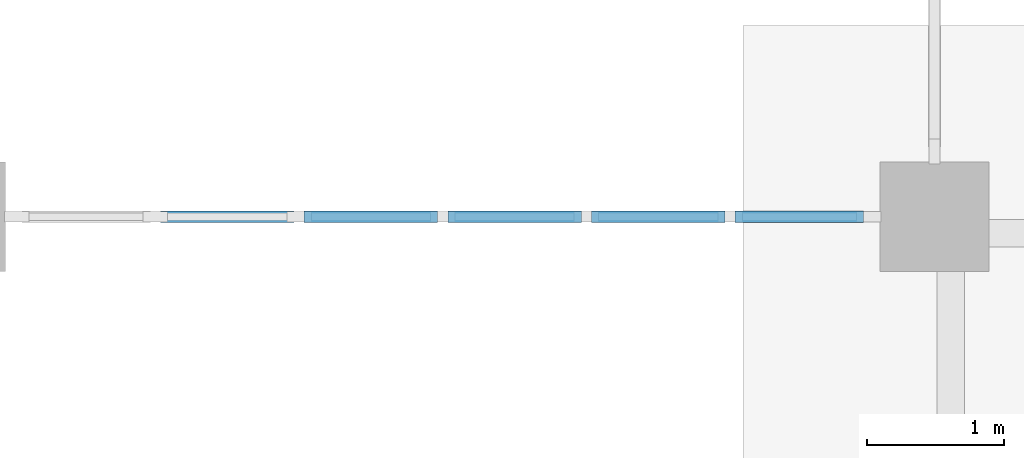
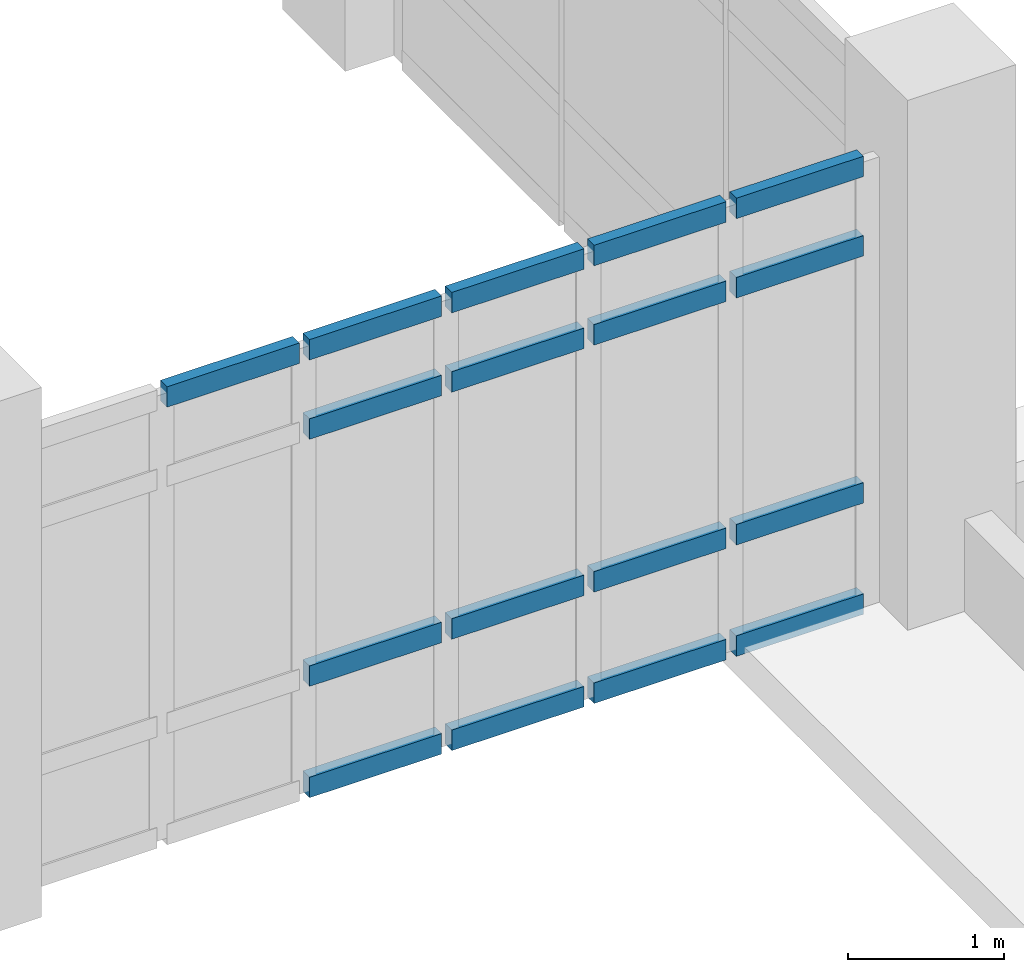
# One storey, part 27 of 62: 17 members, 1 element without a shape of its own.
"""IFC4 building model written with IfcOpenShell, lengths in metres."""

from ifc_helpers import new_model, si_unit, direction, frame, origin, origin_2d, place, context, subcontext, project, spatial, rectangle, extrude, material, layer, layer_set, material_profile, profile_set, type_object, element, aggregate, save


model = new_model("IFC4")

# Units and contexts
model_context = context("Model", 3, precision=1e-05, world=origin(), true_north=direction((0.0, 1.0)))
body_context = subcontext(model_context, "Body", "Model", "MODEL_VIEW")
ifc_project = project(units=[si_unit("LENGTHUNIT", "METRE"), si_unit("AREAUNIT", "SQUARE_METRE"), si_unit("VOLUMEUNIT", "CUBIC_METRE"), si_unit("PLANEANGLEUNIT", "RADIAN"), si_unit("MASSUNIT", "GRAM", prefix="KILO")], contexts=[model_context])

# Site, building, storey
site_placement = place(None, origin())
site = spatial("IfcSite", under=ifc_project, at=site_placement, CompositionType="ELEMENT")
building_placement = place(site_placement, origin())
building = spatial("IfcBuilding", under=site, at=building_placement, Name="Kavelor Marine Aquarium", CompositionType="ELEMENT")
storey_placement = place(building_placement, frame((0.0, 0.0, 13.5)))
storey = spatial("IfcBuildingStorey", under=building, at=storey_placement, Name="L03", CompositionType="ELEMENT", Elevation=13.5)

# Curtain wall, members
ifc_material_1 = material(Name="Thermally Broken Aluminium and Low-E Glass", Category="aluminium")
ifc_layer = layer(ifc_material_1, 0.172119140625)
ifc_layer_set = layer_set([ifc_layer], Name="CW-SYS4")
curtain_wall_type = type_object("IfcCurtainWallType", Name="CW-SYS4", PredefinedType="USERDEFINED", material=ifc_layer_set)
curtain_wall_placement = place(storey_placement, origin())
curtain_wall = element("IfcCurtainWall", 1, at=curtain_wall_placement, inside=storey, type_object=curtain_wall_type, Name="cw:x:L03:04_03", ObjectType="Curtain Wall", PredefinedType="USERDEFINED")
ifc_material_2 = material(Name="Anodised Aluminium Alloy 6063-T6", Category="aluminium")
ifc_material_profile = material_profile(ifc_material_2, rectangle(XDim=0.0849609375, YDim=0.159912109375, at=origin_2d()), Name="CW-TRN 85x160")
ifc_profile_set = profile_set([ifc_material_profile], Name="Anodised Aluminium Alloy 6063-T6")
member_type = type_object("IfcMemberType", Name="CWT-3", PredefinedType="USERDEFINED", material=ifc_profile_set)
member_1_placement = place(storey_placement, frame((38.679931640625, 24.39990234375, 0.030029296875), z_axis=(-1.0, 0.0, 0.0), x_axis=(0.0, -1.0, 0.0)))
member_1 = element("IfcMember", 2, at=member_1_placement, type_object=member_type, Name="CW04 transom 1.1", ObjectType="TRANSOM", PredefinedType="USERDEFINED", context=body_context, shape_type="SweptSolid", body=[
    extrude(rectangle(XDim=0.0849609375, YDim=0.159912109375, at=origin_2d()), origin(), (0.0, 0.0, 1.0), 0.939208984375),
])
member_2_placement = place(storey_placement, frame((38.679931640625, 24.39990234375, 0.89990234375), z_axis=(-1.0, 0.0, 0.0), x_axis=(0.0, -1.0, 0.0)))
member_2 = element("IfcMember", 3, at=member_2_placement, type_object=member_type, Name="CW04 transom 1.2", ObjectType="TRANSOM", PredefinedType="USERDEFINED", context=body_context, shape_type="SweptSolid", body=[
    extrude(rectangle(XDim=0.0849609375, YDim=0.159912109375, at=origin_2d()), origin(), (0.0, 0.0, 1.0), 0.939208984375),
])
member_3_placement = place(storey_placement, frame((38.679931640625, 24.39990234375, 2.830078125), z_axis=(-1.0, 0.0, 0.0), x_axis=(0.0, -1.0, 0.0)))
member_3 = element("IfcMember", 4, at=member_3_placement, type_object=member_type, Name="CW04 transom 1.3", ObjectType="TRANSOM", PredefinedType="USERDEFINED", context=body_context, shape_type="SweptSolid", body=[
    extrude(rectangle(XDim=0.0849609375, YDim=0.159912109375, at=origin_2d()), origin(), (0.0, 0.0, 1.0), 0.939208984375),
])
member_4_placement = place(storey_placement, frame((38.679931640625, 24.39990234375, 3.449951171875), z_axis=(-1.0, 0.0, 0.0), x_axis=(0.0, -1.0, 0.0)))
member_4 = element("IfcMember", 5, at=member_4_placement, type_object=member_type, Name="CW04 transom 1.4", ObjectType="TRANSOM", PredefinedType="USERDEFINED", context=body_context, shape_type="SweptSolid", body=[
    extrude(rectangle(XDim=0.0849609375, YDim=0.159912109375, at=origin_2d()), origin(), (0.0, 0.0, 1.0), 0.939208984375),
])
member_5_placement = place(storey_placement, frame((37.665771484375, 24.39990234375, 0.030029296875), z_axis=(-1.0, 0.0, 0.0), x_axis=(0.0, -1.0, 0.0)))
member_5 = element("IfcMember", 6, at=member_5_placement, type_object=member_type, Name="CW04 transom 2.1", ObjectType="TRANSOM", PredefinedType="USERDEFINED", context=body_context, shape_type="SweptSolid", body=[
    extrude(rectangle(XDim=0.0849609375, YDim=0.159912109375, at=origin_2d()), origin(), (0.0, 0.0, 1.0), 0.9765625),
])
member_6_placement = place(storey_placement, frame((37.665771484375, 24.39990234375, 0.89990234375), z_axis=(-1.0, 0.0, 0.0), x_axis=(0.0, -1.0, 0.0)))
member_6 = element("IfcMember", 7, at=member_6_placement, type_object=member_type, Name="CW04 transom 2.2", ObjectType="TRANSOM", PredefinedType="USERDEFINED", context=body_context, shape_type="SweptSolid", body=[
    extrude(rectangle(XDim=0.0849609375, YDim=0.159912109375, at=origin_2d()), origin(), (0.0, 0.0, 1.0), 0.9765625),
])
member_7_placement = place(storey_placement, frame((37.665771484375, 24.39990234375, 2.830078125), z_axis=(-1.0, 0.0, 0.0), x_axis=(0.0, -1.0, 0.0)))
member_7 = element("IfcMember", 8, at=member_7_placement, type_object=member_type, Name="CW04 transom 2.3", ObjectType="TRANSOM", PredefinedType="USERDEFINED", context=body_context, shape_type="SweptSolid", body=[
    extrude(rectangle(XDim=0.0849609375, YDim=0.159912109375, at=origin_2d()), origin(), (0.0, 0.0, 1.0), 0.9765625),
])
member_8_placement = place(storey_placement, frame((37.665771484375, 24.39990234375, 3.449951171875), z_axis=(-1.0, 0.0, 0.0), x_axis=(0.0, -1.0, 0.0)))
member_8 = element("IfcMember", 9, at=member_8_placement, type_object=member_type, Name="CW04 transom 2.4", ObjectType="TRANSOM", PredefinedType="USERDEFINED", context=body_context, shape_type="SweptSolid", body=[
    extrude(rectangle(XDim=0.0849609375, YDim=0.159912109375, at=origin_2d()), origin(), (0.0, 0.0, 1.0), 0.9765625),
])
member_9_placement = place(storey_placement, frame((36.6142578125, 24.39990234375, 0.030029296875), z_axis=(-1.0, 0.0, 0.0), x_axis=(0.0, -1.0, 0.0)))
member_9 = element("IfcMember", 10, at=member_9_placement, type_object=member_type, Name="CW04 transom 3.1", ObjectType="TRANSOM", PredefinedType="USERDEFINED", context=body_context, shape_type="SweptSolid", body=[
    extrude(rectangle(XDim=0.0849609375, YDim=0.159912109375, at=origin_2d()), origin(), (0.0, 0.0, 1.0), 0.976806640625),
])
member_10_placement = place(storey_placement, frame((36.6142578125, 24.39990234375, 0.89990234375), z_axis=(-1.0, 0.0, 0.0), x_axis=(0.0, -1.0, 0.0)))
member_10 = element("IfcMember", 11, at=member_10_placement, type_object=member_type, Name="CW04 transom 3.2", ObjectType="TRANSOM", PredefinedType="USERDEFINED", context=body_context, shape_type="SweptSolid", body=[
    extrude(rectangle(XDim=0.0849609375, YDim=0.159912109375, at=origin_2d()), origin(), (0.0, 0.0, 1.0), 0.976806640625),
])
member_11_placement = place(storey_placement, frame((36.6142578125, 24.39990234375, 2.830078125), z_axis=(-1.0, 0.0, 0.0), x_axis=(0.0, -1.0, 0.0)))
member_11 = element("IfcMember", 12, at=member_11_placement, type_object=member_type, Name="CW04 transom 3.3", ObjectType="TRANSOM", PredefinedType="USERDEFINED", context=body_context, shape_type="SweptSolid", body=[
    extrude(rectangle(XDim=0.0849609375, YDim=0.159912109375, at=origin_2d()), origin(), (0.0, 0.0, 1.0), 0.976806640625),
])
member_12_placement = place(storey_placement, frame((36.6142578125, 24.39990234375, 3.449951171875), z_axis=(-1.0, 0.0, 0.0), x_axis=(0.0, -1.0, 0.0)))
member_12 = element("IfcMember", 13, at=member_12_placement, type_object=member_type, Name="CW04 transom 3.4", ObjectType="TRANSOM", PredefinedType="USERDEFINED", context=body_context, shape_type="SweptSolid", body=[
    extrude(rectangle(XDim=0.0849609375, YDim=0.159912109375, at=origin_2d()), origin(), (0.0, 0.0, 1.0), 0.976806640625),
])
member_13_placement = place(storey_placement, frame((35.5625, 24.39990234375, 0.030029296875), z_axis=(-1.0, 0.0, 0.0), x_axis=(0.0, -1.0, 0.0)))
member_13 = element("IfcMember", 14, at=member_13_placement, type_object=member_type, Name="CW04 transom 4.1", ObjectType="TRANSOM", PredefinedType="USERDEFINED", context=body_context, shape_type="SweptSolid", body=[
    extrude(rectangle(XDim=0.0849609375, YDim=0.159912109375, at=origin_2d()), origin(), (0.0, 0.0, 1.0), 0.9765625),
])
member_14_placement = place(storey_placement, frame((35.5625, 24.39990234375, 0.89990234375), z_axis=(-1.0, 0.0, 0.0), x_axis=(0.0, -1.0, 0.0)))
member_14 = element("IfcMember", 15, at=member_14_placement, type_object=member_type, Name="CW04 transom 4.2", ObjectType="TRANSOM", PredefinedType="USERDEFINED", context=body_context, shape_type="SweptSolid", body=[
    extrude(rectangle(XDim=0.0849609375, YDim=0.159912109375, at=origin_2d()), origin(), (0.0, 0.0, 1.0), 0.9765625),
])
member_15_placement = place(storey_placement, frame((35.5625, 24.39990234375, 2.830078125), z_axis=(-1.0, 0.0, 0.0), x_axis=(0.0, -1.0, 0.0)))
member_15 = element("IfcMember", 16, at=member_15_placement, type_object=member_type, Name="CW04 transom 4.3", ObjectType="TRANSOM", PredefinedType="USERDEFINED", context=body_context, shape_type="SweptSolid", body=[
    extrude(rectangle(XDim=0.0849609375, YDim=0.159912109375, at=origin_2d()), origin(), (0.0, 0.0, 1.0), 0.9765625),
])
member_16_placement = place(storey_placement, frame((35.5625, 24.39990234375, 3.449951171875), z_axis=(-1.0, 0.0, 0.0), x_axis=(0.0, -1.0, 0.0)))
member_16 = element("IfcMember", 17, at=member_16_placement, type_object=member_type, Name="CW04 transom 4.4", ObjectType="TRANSOM", PredefinedType="USERDEFINED", context=body_context, shape_type="SweptSolid", body=[
    extrude(rectangle(XDim=0.0849609375, YDim=0.159912109375, at=origin_2d()), origin(), (0.0, 0.0, 1.0), 0.9765625),
])
member_17_placement = place(storey_placement, frame((34.5107421875, 24.39990234375, 3.449951171875), z_axis=(-1.0, 0.0, 0.0), x_axis=(0.0, -1.0, 0.0)))
member_17 = element("IfcMember", 18, at=member_17_placement, type_object=member_type, Name="CW04 transom 5.4", ObjectType="TRANSOM", PredefinedType="USERDEFINED", context=body_context, shape_type="SweptSolid", body=[
    extrude(rectangle(XDim=0.0849609375, YDim=0.159912109375, at=origin_2d()), origin(), (0.0, 0.0, 1.0), 0.9765625),
])
aggregate(curtain_wall, [member_1, member_2, member_3, member_4, member_5, member_6, member_7, member_8, member_9, member_10, member_11, member_12, member_13, member_14, member_15, member_16, member_17])

save(model, "model.ifc")
